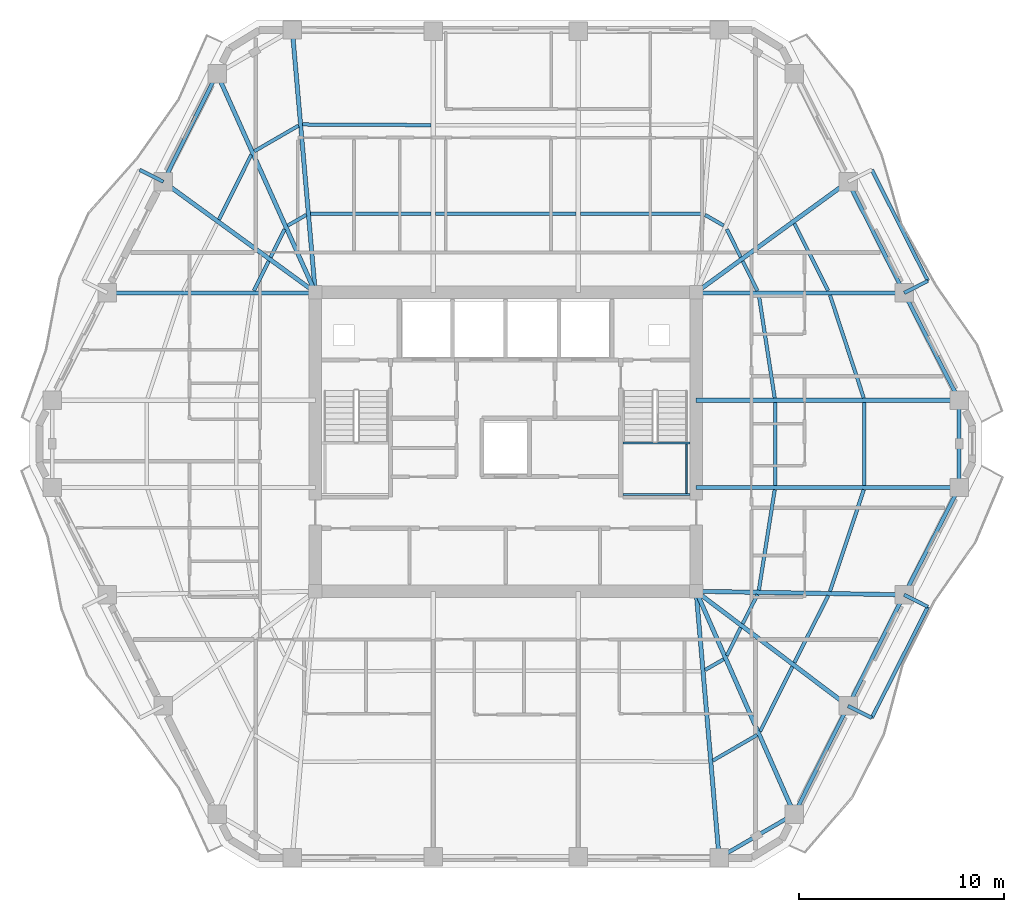
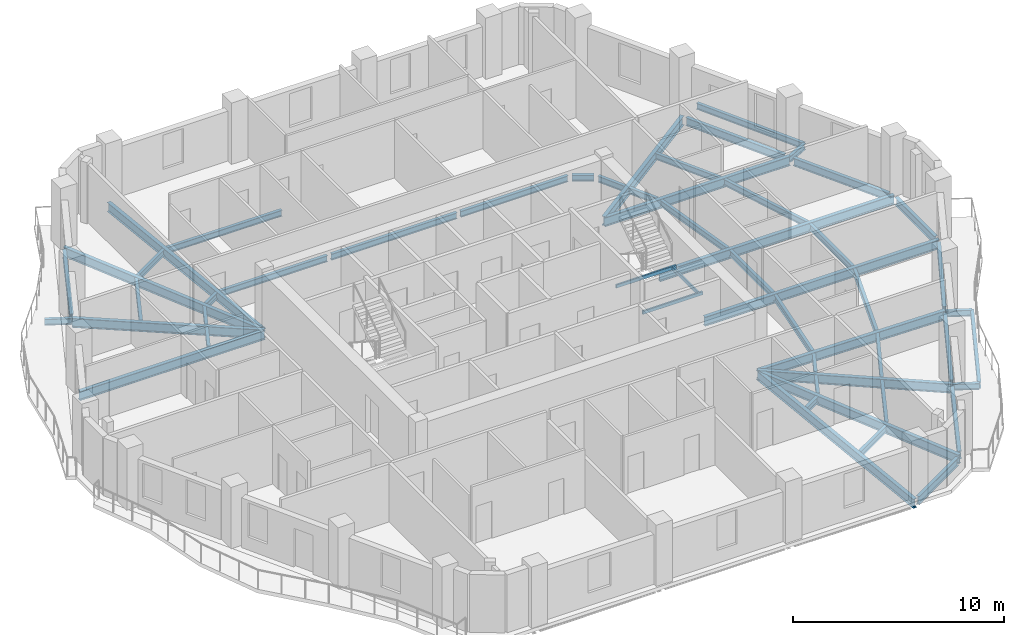
# One storey, part 2 of 12: 54 beams.
"""IFC4 building model written with IfcOpenShell, lengths in metres."""

from ifc_helpers import new_model, si_unit, direction, frame, origin, origin_2d, place, context, subcontext, project, spatial, hollow_rectangle, i_section, extrude, material, material_profile, profile_set, type_object, element, save


model = new_model("IFC4")

# Units and contexts
model_context = context("Model", 3, precision=1e-05, world=origin(), true_north=direction((0.0, 1.0)))
body_context = subcontext(model_context, "Body", "Model", "MODEL_VIEW")
ifc_project = project(units=[si_unit("LENGTHUNIT", "METRE"), si_unit("AREAUNIT", "SQUARE_METRE"), si_unit("VOLUMEUNIT", "CUBIC_METRE"), si_unit("PLANEANGLEUNIT", "RADIAN"), si_unit("MASSUNIT", "GRAM", prefix="KILO")], contexts=[model_context])

# Site, building, storey
site_placement = place(None, origin())
site = spatial("IfcSite", under=ifc_project, at=site_placement, CompositionType="ELEMENT")
building_placement = place(site_placement, origin())
building = spatial("IfcBuilding", under=site, at=building_placement, Name="Cinnabar Lancet Tower", CompositionType="ELEMENT")
storey_placement = place(building_placement, frame((0.0, 0.0, 189.64990234375)))
storey = spatial("IfcBuildingStorey", under=building, at=storey_placement, Name="L50", CompositionType="ELEMENT", Elevation=189.64990234375)

# Beams
ifc_material_1 = material(Name="Structural steel S355", Category="steel")
ifc_material_profile_1 = material_profile(ifc_material_1, i_section(OverallWidth=0.17138671875, OverallDepth=0.35498046875, WebThickness=0.00732421875, FlangeThickness=0.011474609375, FilletRadius=0.01025390625, at=origin_2d()), Name="UKB 356x171x51")
ifc_profile_set_1 = profile_set([ifc_material_profile_1], Name="Structural steel S355")
beam_type_1 = type_object("IfcBeamType", Name="STR-BM-JST-356", PredefinedType="JOIST", material=ifc_profile_set_1)
beam_1_placement = place(storey_placement, frame((42.51708984375, 10.3310546875, -0.3779296875), z_axis=(0.865267839663, 0.501309849937, 0.0), x_axis=(-0.501309849937, 0.865267839663, 0.0)))
element("IfcBeam", 1, at=beam_1_placement, inside=storey, type_object=beam_type_1, Name="L50 Secondary Floor Joist 15", PredefinedType="JOIST", context=body_context, shape_type="SweptSolid", body=[
    extrude(i_section(OverallWidth=0.17138671875, OverallDepth=0.35498046875, WebThickness=0.00732421875, FlangeThickness=0.011474609375, FilletRadius=0.01025390625, at=origin_2d()), origin(), (0.0, 0.0, 1.0), 2.497314453125),
])
beam_2_placement = place(storey_placement, frame((42.135986328125, 14.7548828125, -0.3779296875), z_axis=(0.8651881055, 0.501447446998, 0.0), x_axis=(-0.501447446998, 0.8651881055, 0.0)))
element("IfcBeam", 2, at=beam_2_placement, inside=storey, type_object=beam_type_1, Name="L50 Secondary Floor Joist 16", PredefinedType="JOIST", context=body_context, shape_type="SweptSolid", body=[
    extrude(i_section(OverallWidth=0.17138671875, OverallDepth=0.35498046875, WebThickness=0.00732421875, FlangeThickness=0.011474609375, FilletRadius=0.01025390625, at=origin_2d()), origin(), (0.0, 0.0, 1.0), 1.05322265625),
])
beam_3_placement = place(storey_placement, frame((44.8291015625, 11.758056640625, -0.3779296875), z_axis=(0.445027906173, 0.895516701534, 0.0), x_axis=(-0.895516701534, 0.445027906173, 0.0)))
element("IfcBeam", 3, at=beam_3_placement, inside=storey, type_object=beam_type_1, Name="L50 Secondary Floor Joist 17", PredefinedType="JOIST", context=body_context, shape_type="SweptSolid", body=[
    extrude(i_section(OverallWidth=0.17138671875, OverallDepth=0.35498046875, WebThickness=0.00732421875, FlangeThickness=0.011474609375, FilletRadius=0.01025390625, at=origin_2d()), origin(), (0.0, 0.0, 1.0), 3.531982421875),
])
beam_4_placement = place(storey_placement, frame((43.198974609375, 15.45703125, -0.3779296875), z_axis=(0.444589856968, 0.895734256954, 0.0), x_axis=(-0.895734256954, 0.444589856968, 0.0)))
element("IfcBeam", 4, at=beam_4_placement, inside=storey, type_object=beam_type_1, Name="L50 Secondary Floor Joist 18", PredefinedType="JOIST", context=body_context, shape_type="SweptSolid", body=[
    extrude(i_section(OverallWidth=0.17138671875, OverallDepth=0.35498046875, WebThickness=0.00732421875, FlangeThickness=0.011474609375, FilletRadius=0.01025390625, at=origin_2d()), origin(), (0.0, 0.0, 1.0), 1.527099609375),
])
beam_5_placement = place(storey_placement, frame((46.49609375, 15.112060546875, -0.3779296875), z_axis=(0.450564728728, 0.892743762357, 0.0), x_axis=(-0.892743762357, 0.450564728728, 0.0)))
element("IfcBeam", 5, at=beam_5_placement, inside=storey, type_object=beam_type_1, Name="L50 Secondary Floor Joist 19", PredefinedType="JOIST", context=body_context, shape_type="SweptSolid", body=[
    extrude(i_section(OverallWidth=0.17138671875, OverallDepth=0.35498046875, WebThickness=0.00732421875, FlangeThickness=0.011474609375, FilletRadius=0.01025390625, at=origin_2d()), origin(), (0.0, 0.0, 1.0), 3.66845703125),
])
beam_6_placement = place(storey_placement, frame((43.97412109375, 17.014892578125, -0.3779296875), z_axis=(0.450137936259, 0.892959035085, 0.0), x_axis=(-0.892959035085, 0.450137936259, 0.0)))
element("IfcBeam", 6, at=beam_6_placement, inside=storey, type_object=beam_type_1, Name="L50 Secondary Floor Joist 20", PredefinedType="JOIST", context=body_context, shape_type="SweptSolid", body=[
    extrude(i_section(OverallWidth=0.17138671875, OverallDepth=0.35498046875, WebThickness=0.00732421875, FlangeThickness=0.011474609375, FilletRadius=0.01025390625, at=origin_2d()), origin(), (0.0, 0.0, 1.0), 1.6015625),
])
beam_7_placement = place(storey_placement, frame((48.236083984375, 18.594970703125, -0.3779296875), z_axis=(0.315346227037, 0.948976689436, 0.0), x_axis=(-0.948976689436, 0.315346227037, 0.0)))
element("IfcBeam", 7, at=beam_7_placement, inside=storey, type_object=beam_type_1, Name="L50 Secondary Floor Joist 21", PredefinedType="JOIST", context=body_context, shape_type="SweptSolid", body=[
    extrude(i_section(OverallWidth=0.17138671875, OverallDepth=0.35498046875, WebThickness=0.00732421875, FlangeThickness=0.011474609375, FilletRadius=0.01025390625, at=origin_2d()), origin(), (0.0, 0.0, 1.0), 5.235107421875),
])
beam_8_placement = place(storey_placement, frame((44.763916015625, 18.653076171875, -0.3779296875), z_axis=(0.155750702097, 0.987796395416, 0.0), x_axis=(-0.987796395416, 0.155750702097, 0.0)))
element("IfcBeam", 8, at=beam_8_placement, inside=storey, type_object=beam_type_1, Name="L50 Secondary Floor Joist 22", PredefinedType="JOIST", context=body_context, shape_type="SweptSolid", body=[
    extrude(i_section(OverallWidth=0.17138671875, OverallDepth=0.35498046875, WebThickness=0.00732421875, FlangeThickness=0.011474609375, FilletRadius=0.01025390625, at=origin_2d()), origin(), (0.0, 0.0, 1.0), 4.970458984375),
])
for number, where, z_axis, x_axis, name in (
    (9, (49.922119140625, 23.77294921875, -0.3779296875), (0.0, 1.0, 0.0), (-1.0, 0.0, 0.0), "L50 Secondary Floor Joist 23"),
    (10, (45.553955078125, 23.77294921875, -0.3779296875), (0.0, 1.0, 0.0), (-1.0, 0.0, 0.0), "L50 Secondary Floor Joist 24"),
):
    element("IfcBeam", number, at=place(storey_placement, frame(where, z_axis=z_axis, x_axis=x_axis)), inside=storey, type_object=beam_type_1, Name=name, PredefinedType="JOIST", context=body_context, shape_type="SweptSolid", body=[
        extrude(i_section(OverallWidth=0.17138671875, OverallDepth=0.35498046875, WebThickness=0.00732421875, FlangeThickness=0.011474609375, FilletRadius=0.01025390625, at=origin_2d()), origin(), (0.0, 0.0, 1.0), 4.053955078125),
    ])
beam_9_placement = place(storey_placement, frame((49.887939453125, 28.037109375, -0.3779296875), z_axis=(-0.312240109925, 0.95000321776, 0.0), x_axis=(-0.95000321776, -0.312240109925, 0.0)))
element("IfcBeam", 11, at=beam_9_placement, inside=storey, type_object=beam_type_1, Name="L50 Secondary Floor Joist 25", PredefinedType="JOIST", context=body_context, shape_type="SweptSolid", body=[
    extrude(i_section(OverallWidth=0.17138671875, OverallDepth=0.35498046875, WebThickness=0.00732421875, FlangeThickness=0.011474609375, FilletRadius=0.01025390625, at=origin_2d()), origin(), (0.0, 0.0, 1.0), 5.29345703125),
])
beam_10_placement = place(storey_placement, frame((45.5380859375, 28.037109375, -0.3779296875), z_axis=(-0.152154536592, 0.98835671546, 0.0), x_axis=(-0.98835671546, -0.152154536592, 0.0)))
element("IfcBeam", 12, at=beam_10_placement, inside=storey, type_object=beam_type_1, Name="L50 Secondary Floor Joist 26", PredefinedType="JOIST", context=body_context, shape_type="SweptSolid", body=[
    extrude(i_section(OverallWidth=0.17138671875, OverallDepth=0.35498046875, WebThickness=0.00732421875, FlangeThickness=0.011474609375, FilletRadius=0.01025390625, at=origin_2d()), origin(), (0.0, 0.0, 1.0), 5.088134765625),
])
beam_11_placement = place(storey_placement, frame((48.14794921875, 33.27587890625, -0.3779296875), z_axis=(-0.449230875134, 0.893415704376, 0.0), x_axis=(-0.893415704376, -0.449230875134, 0.0)))
element("IfcBeam", 13, at=beam_11_placement, inside=storey, type_object=beam_type_1, Name="L50 Secondary Floor Joist 27", PredefinedType="JOIST", context=body_context, shape_type="SweptSolid", body=[
    extrude(i_section(OverallWidth=0.17138671875, OverallDepth=0.35498046875, WebThickness=0.00732421875, FlangeThickness=0.011474609375, FilletRadius=0.01025390625, at=origin_2d()), origin(), (0.0, 0.0, 1.0), 3.677001953125),
])
beam_12_placement = place(storey_placement, frame((44.695068359375, 33.27587890625, -0.3779296875), z_axis=(-0.446006949597, 0.89502949723, 0.0), x_axis=(-0.89502949723, -0.446006949597, 0.0)))
element("IfcBeam", 14, at=beam_12_placement, inside=storey, type_object=beam_type_1, Name="L50 Secondary Floor Joist 28", PredefinedType="JOIST", context=body_context, shape_type="SweptSolid", body=[
    extrude(i_section(OverallWidth=0.17138671875, OverallDepth=0.35498046875, WebThickness=0.00732421875, FlangeThickness=0.011474609375, FilletRadius=0.01025390625, at=origin_2d()), origin(), (0.0, 0.0, 1.0), 1.619140625),
])
beam_13_placement = place(storey_placement, frame((43.8779296875, 34.9150390625, -0.3779296875), z_axis=(-0.444589856968, 0.895734256954, 0.0), x_axis=(-0.895734256954, -0.444589856968, 0.0)))
element("IfcBeam", 15, at=beam_13_placement, inside=storey, type_object=beam_type_1, Name="L50 Secondary Floor Joist 30", PredefinedType="JOIST", context=body_context, shape_type="SweptSolid", body=[
    extrude(i_section(OverallWidth=0.17138671875, OverallDepth=0.35498046875, WebThickness=0.00732421875, FlangeThickness=0.011474609375, FilletRadius=0.01025390625, at=origin_2d()), origin(), (0.0, 0.0, 1.0), 1.527099609375),
])
beam_14_placement = place(storey_placement, frame((43.047119140625, 36.45703125, -0.3779296875), z_axis=(-0.8651881055, 0.501447446998, 0.0), x_axis=(-0.501447446998, -0.8651881055, 0.0)))
element("IfcBeam", 16, at=beam_14_placement, inside=storey, type_object=beam_type_1, Name="L50 Secondary Floor Joist 32", PredefinedType="JOIST", context=body_context, shape_type="SweptSolid", body=[
    extrude(i_section(OverallWidth=0.17138671875, OverallDepth=0.35498046875, WebThickness=0.00732421875, FlangeThickness=0.011474609375, FilletRadius=0.01025390625, at=origin_2d()), origin(), (0.0, 0.0, 1.0), 1.05322265625),
])
beam_15_placement = place(storey_placement, frame((41.930908203125, 37.04296875, -0.3779296875), z_axis=(-0.999996795667, -0.002531532393, 0.0), x_axis=(0.002531532393, -0.999996795667, 0.0)))
element("IfcBeam", 17, at=beam_15_placement, inside=storey, type_object=beam_type_1, Name="L50 Secondary Floor Joist 34", PredefinedType="JOIST", context=body_context, shape_type="SweptSolid", body=[
    extrude(i_section(OverallWidth=0.17138671875, OverallDepth=0.35498046875, WebThickness=0.00732421875, FlangeThickness=0.011474609375, FilletRadius=0.01025390625, at=origin_2d()), origin(), (0.0, 0.0, 1.0), 5.8828125),
])
beam_16_placement = place(storey_placement, frame((35.837890625, 37.027099609375, -0.3779296875), z_axis=(-1.0, 0.0, 0.0), x_axis=(0.0, -1.0, 0.0)))
element("IfcBeam", 18, at=beam_16_placement, inside=storey, type_object=beam_type_1, Name="L50 Secondary Floor Joist 36", PredefinedType="JOIST", context=body_context, shape_type="SweptSolid", body=[
    extrude(i_section(OverallWidth=0.17138671875, OverallDepth=0.35498046875, WebThickness=0.00732421875, FlangeThickness=0.011474609375, FilletRadius=0.01025390625, at=origin_2d()), origin(), (0.0, 0.0, 1.0), 6.8759765625),
])
beam_17_placement = place(storey_placement, frame((28.751953125, 41.365966796875, -0.3779296875), z_axis=(-0.999986965561, 0.005105752523, 0.0), x_axis=(-0.005105752523, -0.999986965561, 0.0)))
element("IfcBeam", 19, at=beam_17_placement, inside=storey, type_object=beam_type_1, Name="L50 Secondary Floor Joist 37", PredefinedType="JOIST", context=body_context, shape_type="SweptSolid", body=[
    extrude(i_section(OverallWidth=0.17138671875, OverallDepth=0.35498046875, WebThickness=0.00732421875, FlangeThickness=0.011474609375, FilletRadius=0.01025390625, at=origin_2d()), origin(), (0.0, 0.0, 1.0), 6.263916015625),
])
beam_18_placement = place(storey_placement, frame((28.751953125, 37.028076171875, -0.3779296875), z_axis=(-0.999996795933, 0.002531427338, 0.0), x_axis=(-0.002531427338, -0.999996795933, 0.0)))
element("IfcBeam", 20, at=beam_18_placement, inside=storey, type_object=beam_type_1, Name="L50 Secondary Floor Joist 38", PredefinedType="JOIST", context=body_context, shape_type="SweptSolid", body=[
    extrude(i_section(OverallWidth=0.17138671875, OverallDepth=0.35498046875, WebThickness=0.00732421875, FlangeThickness=0.011474609375, FilletRadius=0.01025390625, at=origin_2d()), origin(), (0.0, 0.0, 1.0), 5.883056640625),
])
beam_19_placement = place(storey_placement, frame((22.282958984375, 41.341064453125, -0.3779296875), z_axis=(-0.865267839663, -0.501309849937, 0.0), x_axis=(0.501309849937, -0.865267839663, 0.0)))
element("IfcBeam", 21, at=beam_19_placement, inside=storey, type_object=beam_type_1, Name="L50 Secondary Floor Joist 39", PredefinedType="JOIST", context=body_context, shape_type="SweptSolid", body=[
    extrude(i_section(OverallWidth=0.17138671875, OverallDepth=0.35498046875, WebThickness=0.00732421875, FlangeThickness=0.011474609375, FilletRadius=0.01025390625, at=origin_2d()), origin(), (0.0, 0.0, 1.0), 2.497314453125),
])
beam_20_placement = place(storey_placement, frame((22.6640625, 36.985107421875, -0.3779296875), z_axis=(-0.8651881055, -0.501447446998, 0.0), x_axis=(0.501447446998, -0.8651881055, 0.0)))
element("IfcBeam", 22, at=beam_20_placement, inside=storey, type_object=beam_type_1, Name="L50 Secondary Floor Joist 40", PredefinedType="JOIST", context=body_context, shape_type="SweptSolid", body=[
    extrude(i_section(OverallWidth=0.17138671875, OverallDepth=0.35498046875, WebThickness=0.00732421875, FlangeThickness=0.011474609375, FilletRadius=0.01025390625, at=origin_2d()), origin(), (0.0, 0.0, 1.0), 1.05322265625),
])
beam_21_placement = place(storey_placement, frame((19.970947265625, 39.9150390625, -0.3779296875), z_axis=(-0.444835507887, -0.895612288283, 0.0), x_axis=(0.895612288283, -0.444835507887, 0.0)))
element("IfcBeam", 23, at=beam_21_placement, inside=storey, type_object=beam_type_1, Name="L50 Secondary Floor Joist 41", PredefinedType="JOIST", context=body_context, shape_type="SweptSolid", body=[
    extrude(i_section(OverallWidth=0.17138671875, OverallDepth=0.35498046875, WebThickness=0.00732421875, FlangeThickness=0.011474609375, FilletRadius=0.01025390625, at=origin_2d()), origin(), (0.0, 0.0, 1.0), 3.533935546875),
])
beam_22_placement = place(storey_placement, frame((21.60107421875, 36.282958984375, -0.3779296875), z_axis=(-0.444589856968, -0.895734256954, 0.0), x_axis=(0.895734256954, -0.444589856968, 0.0)))
element("IfcBeam", 24, at=beam_22_placement, inside=storey, type_object=beam_type_1, Name="L50 Secondary Floor Joist 42", PredefinedType="JOIST", context=body_context, shape_type="SweptSolid", body=[
    extrude(i_section(OverallWidth=0.17138671875, OverallDepth=0.35498046875, WebThickness=0.00732421875, FlangeThickness=0.011474609375, FilletRadius=0.01025390625, at=origin_2d()), origin(), (0.0, 0.0, 1.0), 1.527099609375),
])
beam_23_placement = place(storey_placement, frame((20.826904296875, 34.72509765625, -0.3779296875), z_axis=(-0.44588615098, -0.895089682861, 0.0), x_axis=(0.895089682861, -0.44588615098, 0.0)))
element("IfcBeam", 25, at=beam_23_placement, inside=storey, type_object=beam_type_1, Name="L50 Secondary Floor Joist 44", PredefinedType="JOIST", context=body_context, shape_type="SweptSolid", body=[
    extrude(i_section(OverallWidth=0.17138671875, OverallDepth=0.35498046875, WebThickness=0.00732421875, FlangeThickness=0.011474609375, FilletRadius=0.01025390625, at=origin_2d()), origin(), (0.0, 0.0, 1.0), 1.619140625),
])
ifc_material_2 = material(Name="Structural steel S355", Category="steel")
ifc_material_profile_2 = material_profile(ifc_material_2, hollow_rectangle(XDim=0.10009765625, YDim=0.199951171875, WallThickness=0.008056640625, InnerFilletRadius=0.00390625, OuterFilletRadius=0.011962890625, at=origin_2d()), Name="RHS 200x100x8")
ifc_profile_set_2 = profile_set([ifc_material_profile_2], Name="Structural steel S355")
beam_type_2 = type_object("IfcBeamType", Name="STR-BM-LND-203", PredefinedType="BEAM", material=ifc_profile_set_2)
for number, where, z_axis, x_axis, name in (
    (26, (38.1201171875, 23.330078125, 1.47509765625), (1.0, 0.0, 0.0), (0.0, 1.0, 0.0), "L50 ST-2-L50 Landing Support Beam S"),
    (27, (38.1201171875, 25.844970703125, 1.47509765625), (1.0, 0.0, 0.0), (0.0, 1.0, 0.0), "L50 ST-2-L50 Landing Support Beam N"),
):
    element("IfcBeam", number, at=place(storey_placement, frame(where, z_axis=z_axis, x_axis=x_axis)), inside=storey, type_object=beam_type_2, Name=name, PredefinedType="BEAM", context=body_context, shape_type="SweptSolid", body=[
        extrude(hollow_rectangle(XDim=0.10009765625, YDim=0.199951171875, WallThickness=0.008056640625, InnerFilletRadius=0.00390625, OuterFilletRadius=0.011962890625, at=origin_2d()), origin(), (0.0, 0.0, 1.0), 3.27978515625),
    ])
beam_24_placement = place(storey_placement, frame((41.219970703125, 23.3798828125, 1.47509765625), z_axis=(0.0, 1.0, 0.0), x_axis=(-1.0, 0.0, 0.0)))
element("IfcBeam", 28, at=beam_24_placement, inside=storey, type_object=beam_type_2, Name="L50 ST-2-L50 Landing Side Trimmer Beam", PredefinedType="BEAM", context=body_context, shape_type="SweptSolid", body=[
    extrude(hollow_rectangle(XDim=0.10009765625, YDim=0.199951171875, WallThickness=0.008056640625, InnerFilletRadius=0.00390625, OuterFilletRadius=0.011962890625, at=origin_2d()), origin(), (0.0, 0.0, 1.0), 2.4150390625),
])
ifc_material_3 = material(Name="Structural steel S355", Category="steel")
ifc_material_profile_3 = material_profile(ifc_material_3, i_section(OverallWidth=0.1904296875, OverallDepth=0.45703125, WebThickness=0.009033203125, FlangeThickness=0.014404296875, FilletRadius=0.01025390625, at=origin_2d()), Name="UKB 457x191x74")
ifc_profile_set_3 = profile_set([ifc_material_profile_3], Name="Structural steel S355")
beam_type_3 = type_object("IfcBeamType", Name="STR-BM-SPN-457", PredefinedType="SPANDREL", material=ifc_profile_set_3)
beam_25_placement = place(storey_placement, frame((43.037109375, 5.714111328125, -0.428955078125), z_axis=(0.865195717586, 0.501434313016, 0.0), x_axis=(-0.501434313016, 0.865195717586, 0.0)))
element("IfcBeam", 29, at=beam_25_placement, inside=storey, type_object=beam_type_3, Name="L50 Perimeter Spandrel 4", PredefinedType="SPANDREL", context=body_context, shape_type="SweptSolid", body=[
    extrude(i_section(OverallWidth=0.1904296875, OverallDepth=0.45703125, WebThickness=0.009033203125, FlangeThickness=0.014404296875, FilletRadius=0.01025390625, at=origin_2d()), origin(), (0.0, 0.0, 1.0), 3.7470703125),
])
beam_26_placement = place(storey_placement, frame((46.60595703125, 7.94189453125, -0.428955078125), z_axis=(0.444914968367, 0.895572817208, 0.0), x_axis=(-0.895572817208, 0.444914968367, 0.0)))
element("IfcBeam", 30, at=beam_26_placement, inside=storey, type_object=beam_type_3, Name="L50 Perimeter Spandrel 5", PredefinedType="SPANDREL", context=body_context, shape_type="SweptSolid", body=[
    extrude(i_section(OverallWidth=0.1904296875, OverallDepth=0.45703125, WebThickness=0.009033203125, FlangeThickness=0.014404296875, FilletRadius=0.01025390625, at=origin_2d()), origin(), (0.0, 0.0, 1.0), 5.39892578125),
])
beam_27_placement = place(storey_placement, frame((49.23193359375, 13.22412109375, -0.428955078125), z_axis=(0.450395996562, 0.892828900899, 0.0), x_axis=(-0.892828900899, 0.450395996562, 0.0)))
element("IfcBeam", 31, at=beam_27_placement, inside=storey, type_object=beam_type_3, Name="L50 Perimeter Spandrel 6", PredefinedType="SPANDREL", context=body_context, shape_type="SweptSolid", body=[
    extrude(i_section(OverallWidth=0.1904296875, OverallDepth=0.45703125, WebThickness=0.009033203125, FlangeThickness=0.014404296875, FilletRadius=0.01025390625, at=origin_2d()), origin(), (0.0, 0.0, 1.0), 5.579833984375),
])
beam_28_placement = place(storey_placement, frame((51.971923828125, 18.65087890625, -0.428955078125), z_axis=(0.456628362232, 0.889657540184, 0.0), x_axis=(-0.889657540184, 0.456628362232, 0.0)))
element("IfcBeam", 32, at=beam_28_placement, inside=storey, type_object=beam_type_3, Name="L50 Perimeter Spandrel 7", PredefinedType="SPANDREL", context=body_context, shape_type="SweptSolid", body=[
    extrude(i_section(OverallWidth=0.1904296875, OverallDepth=0.45703125, WebThickness=0.009033203125, FlangeThickness=0.014404296875, FilletRadius=0.01025390625, at=origin_2d()), origin(), (0.0, 0.0, 1.0), 5.389892578125),
])
beam_29_placement = place(storey_placement, frame((54.547119140625, 23.91796875, -0.428955078125), z_axis=(0.0, 1.0, 0.0), x_axis=(-1.0, 0.0, 0.0)))
element("IfcBeam", 33, at=beam_29_placement, inside=storey, type_object=beam_type_3, Name="L50 Perimeter Spandrel 8", PredefinedType="SPANDREL", context=body_context, shape_type="SweptSolid", body=[
    extrude(i_section(OverallWidth=0.1904296875, OverallDepth=0.45703125, WebThickness=0.009033203125, FlangeThickness=0.014404296875, FilletRadius=0.01025390625, at=origin_2d()), origin(), (0.0, 0.0, 1.0), 3.763916015625),
])
beam_30_placement = place(storey_placement, frame((54.43310546875, 28.154052734375, -0.428955078125), z_axis=(-0.456646764028, 0.889648094981, 0.0), x_axis=(-0.889648094981, -0.456646764028, 0.0)))
element("IfcBeam", 34, at=beam_30_placement, inside=storey, type_object=beam_type_3, Name="L50 Perimeter Spandrel 9", PredefinedType="SPANDREL", context=body_context, shape_type="SweptSolid", body=[
    extrude(i_section(OverallWidth=0.1904296875, OverallDepth=0.45703125, WebThickness=0.009033203125, FlangeThickness=0.014404296875, FilletRadius=0.01025390625, at=origin_2d()), origin(), (0.0, 0.0, 1.0), 5.3896484375),
])
beam_31_placement = place(storey_placement, frame((51.7451171875, 33.39404296875, -0.428955078125), z_axis=(-0.450395996562, 0.892828900899, 0.0), x_axis=(-0.892828900899, -0.450395996562, 0.0)))
element("IfcBeam", 35, at=beam_31_placement, inside=storey, type_object=beam_type_3, Name="L50 Perimeter Spandrel 10", PredefinedType="SPANDREL", context=body_context, shape_type="SweptSolid", body=[
    extrude(i_section(OverallWidth=0.1904296875, OverallDepth=0.45703125, WebThickness=0.009033203125, FlangeThickness=0.014404296875, FilletRadius=0.01025390625, at=origin_2d()), origin(), (0.0, 0.0, 1.0), 5.579833984375),
])
beam_32_placement = place(storey_placement, frame((18.194091796875, 43.657958984375, -0.428955078125), z_axis=(-0.444932986899, -0.895563865489, 0.0), x_axis=(0.895563865489, -0.444932986899, 0.0)))
element("IfcBeam", 36, at=beam_32_placement, inside=storey, type_object=beam_type_3, Name="L50 Perimeter Spandrel 17", PredefinedType="SPANDREL", context=body_context, shape_type="SweptSolid", body=[
    extrude(i_section(OverallWidth=0.1904296875, OverallDepth=0.45703125, WebThickness=0.009033203125, FlangeThickness=0.014404296875, FilletRadius=0.01025390625, at=origin_2d()), origin(), (0.0, 0.0, 1.0), 5.398681640625),
])
ifc_material_4 = material(Name="Structural steel S355", Category="steel")
ifc_material_profile_4 = material_profile(ifc_material_4, i_section(OverallWidth=0.209228515625, OverallDepth=0.533203125, WebThickness=0.010009765625, FlangeThickness=0.015625, FilletRadius=0.0126953125, at=origin_2d()), Name="UKB 533x210x92")
ifc_profile_set_4 = profile_set([ifc_material_profile_4], Name="Structural steel S355")
beam_type_4 = type_object("IfcBeamType", Name="STR-BM-UKB533-92", PredefinedType="BEAM", material=ifc_profile_set_4)
beam_33_placement = place(storey_placement, frame((49.118896484375, 13.0009765625, -0.466796875), z_axis=(-0.798193439732, 0.602401222417, 0.0), x_axis=(-0.602401222417, -0.798193439732, 0.0)))
element("IfcBeam", 37, at=beam_33_placement, inside=storey, type_object=beam_type_4, Name="L50 Corner Collector Girder 2", PredefinedType="BEAM", context=body_context, shape_type="SweptSolid", body=[
    extrude(i_section(OverallWidth=0.209228515625, OverallDepth=0.533203125, WebThickness=0.010009765625, FlangeThickness=0.015625, FilletRadius=0.0126953125, at=origin_2d()), origin(), (0.0, 0.0, 1.0), 9.294677734375),
])
beam_34_placement = place(storey_placement, frame((49.118896484375, 38.59912109375, -0.466796875), z_axis=(-0.808550797984, -0.588426382039, 0.0), x_axis=(0.588426382039, -0.808550797984, 0.0)))
element("IfcBeam", 38, at=beam_34_placement, inside=storey, type_object=beam_type_4, Name="L50 Corner Collector Girder 3", PredefinedType="BEAM", context=body_context, shape_type="SweptSolid", body=[
    extrude(i_section(OverallWidth=0.209228515625, OverallDepth=0.533203125, WebThickness=0.010009765625, FlangeThickness=0.015625, FilletRadius=0.0126953125, at=origin_2d()), origin(), (0.0, 0.0, 1.0), 9.175537109375),
])
beam_35_placement = place(storey_placement, frame((15.680908203125, 38.59912109375, -0.466796875), z_axis=(0.80856001044, -0.588413723087, 0.0), x_axis=(0.588413723087, 0.80856001044, 0.0)))
element("IfcBeam", 39, at=beam_35_placement, inside=storey, type_object=beam_type_4, Name="L50 Corner Collector Girder 4", PredefinedType="BEAM", context=body_context, shape_type="SweptSolid", body=[
    extrude(i_section(OverallWidth=0.209228515625, OverallDepth=0.533203125, WebThickness=0.010009765625, FlangeThickness=0.015625, FilletRadius=0.0126953125, at=origin_2d()), origin(), (0.0, 0.0, 1.0), 9.17578125),
])
beam_36_placement = place(storey_placement, frame((42.821044921875, 5.589111328125, -0.466796875), z_axis=(-0.085847068729, 0.996308326167, 0.0), x_axis=(-0.996308326167, -0.085847068729, 0.0)))
element("IfcBeam", 40, at=beam_36_placement, inside=storey, type_object=beam_type_4, Name="L50 Primary Floor Girder 4", PredefinedType="BEAM", context=body_context, shape_type="SweptSolid", body=[
    extrude(i_section(OverallWidth=0.209228515625, OverallDepth=0.533203125, WebThickness=0.010009765625, FlangeThickness=0.015625, FilletRadius=0.0126953125, at=origin_2d()), origin(), (0.0, 0.0, 1.0), 13.05908203125),
])
beam_37_placement = place(storey_placement, frame((46.4951171875, 7.718017578125, -0.466796875), z_axis=(-0.403235299754, 0.915096329919, 0.0), x_axis=(-0.915096329919, -0.403235299754, 0.0)))
element("IfcBeam", 41, at=beam_37_placement, inside=storey, type_object=beam_type_4, Name="L50 Primary Floor Girder 5", PredefinedType="BEAM", context=body_context, shape_type="SweptSolid", body=[
    extrude(i_section(OverallWidth=0.209228515625, OverallDepth=0.533203125, WebThickness=0.010009765625, FlangeThickness=0.015625, FilletRadius=0.0126953125, at=origin_2d()), origin(), (0.0, 0.0, 1.0), 11.891845703125),
])
beam_38_placement = place(storey_placement, frame((51.85791015625, 18.428955078125, -0.466796875), z_axis=(-0.999858100525, 0.016845735777, 0.0), x_axis=(-0.016845735777, -0.999858100525, 0.0)))
element("IfcBeam", 42, at=beam_38_placement, inside=storey, type_object=beam_type_4, Name="L50 Primary Floor Girder 7", PredefinedType="BEAM", context=body_context, shape_type="SweptSolid", body=[
    extrude(i_section(OverallWidth=0.209228515625, OverallDepth=0.533203125, WebThickness=0.010009765625, FlangeThickness=0.015625, FilletRadius=0.0126953125, at=origin_2d()), origin(), (0.0, 0.0, 1.0), 10.159423828125),
])
for number, where, z_axis, x_axis, name in (
    (43, (54.547119140625, 23.66796875, -0.466796875), (-1.0, 0.0, 0.0), (0.0, -1.0, 0.0), "L50 Primary Floor Girder 8"),
    (44, (54.547119140625, 27.931884765625, -0.466796875), (-1.0, 0.0, 0.0), (0.0, -1.0, 0.0), "L50 Primary Floor Girder 9"),
):
    element("IfcBeam", number, at=place(storey_placement, frame(where, z_axis=z_axis, x_axis=x_axis)), inside=storey, type_object=beam_type_4, Name=name, PredefinedType="BEAM", context=body_context, shape_type="SweptSolid", body=[
        extrude(i_section(OverallWidth=0.209228515625, OverallDepth=0.533203125, WebThickness=0.010009765625, FlangeThickness=0.015625, FilletRadius=0.0126953125, at=origin_2d()), origin(), (0.0, 0.0, 1.0), 12.84716796875),
    ])
beam_39_placement = place(storey_placement, frame((51.85791015625, 33.1708984375, -0.466796875), z_axis=(-1.0, 0.0, 0.0), x_axis=(0.0, -1.0, 0.0)))
element("IfcBeam", 45, at=beam_39_placement, inside=storey, type_object=beam_type_4, Name="L50 Primary Floor Girder 10", PredefinedType="BEAM", context=body_context, shape_type="SweptSolid", body=[
    extrude(i_section(OverallWidth=0.209228515625, OverallDepth=0.533203125, WebThickness=0.010009765625, FlangeThickness=0.015625, FilletRadius=0.0126953125, at=origin_2d()), origin(), (0.0, 0.0, 1.0), 10.157958984375),
])
beam_40_placement = place(storey_placement, frame((21.97900390625, 46.010986328125, -0.466796875), z_axis=(0.087176841412, -0.996192851973, 0.0), x_axis=(0.996192851973, 0.087176841412, 0.0)))
element("IfcBeam", 46, at=beam_40_placement, inside=storey, type_object=beam_type_4, Name="L50 Primary Floor Girder 16", PredefinedType="BEAM", context=body_context, shape_type="SweptSolid", body=[
    extrude(i_section(OverallWidth=0.209228515625, OverallDepth=0.533203125, WebThickness=0.010009765625, FlangeThickness=0.015625, FilletRadius=0.0126953125, at=origin_2d()), origin(), (0.0, 0.0, 1.0), 12.860107421875),
])
beam_41_placement = place(storey_placement, frame((18.304931640625, 43.882080078125, -0.466796875), z_axis=(0.409527011626, -0.912297992297, 0.0), x_axis=(0.912297992297, 0.409527011626, 0.0)))
element("IfcBeam", 47, at=beam_41_placement, inside=storey, type_object=beam_type_4, Name="L50 Primary Floor Girder 17", PredefinedType="BEAM", context=body_context, shape_type="SweptSolid", body=[
    extrude(i_section(OverallWidth=0.209228515625, OverallDepth=0.533203125, WebThickness=0.010009765625, FlangeThickness=0.015625, FilletRadius=0.0126953125, at=origin_2d()), origin(), (0.0, 0.0, 1.0), 11.708984375),
])
beam_42_placement = place(storey_placement, frame((12.94189453125, 33.1708984375, -0.466796875), z_axis=(1.0, 0.0, 0.0), x_axis=(0.0, 1.0, 0.0)))
element("IfcBeam", 48, at=beam_42_placement, inside=storey, type_object=beam_type_4, Name="L50 Primary Floor Girder 19", PredefinedType="BEAM", context=body_context, shape_type="SweptSolid", body=[
    extrude(i_section(OverallWidth=0.209228515625, OverallDepth=0.533203125, WebThickness=0.010009765625, FlangeThickness=0.015625, FilletRadius=0.0126953125, at=origin_2d()), origin(), (0.0, 0.0, 1.0), 10.158203125),
])
ifc_material_5 = material(Name="Structural steel S355", Category="steel")
ifc_material_profile_5 = material_profile(ifc_material_5, i_section(OverallWidth=0.17138671875, OverallDepth=0.35498046875, WebThickness=0.00732421875, FlangeThickness=0.011474609375, FilletRadius=0.01025390625, at=origin_2d()), Name="UKB 356x171x51")
ifc_profile_set_5 = profile_set([ifc_material_profile_5], Name="Structural steel S355")
beam_type_5 = type_object("IfcBeamType", Name="STR-BM-WAV-OUT", PredefinedType="BEAM", material=ifc_profile_set_5)
for number, where, z_axis, x_axis, name in (
    (49, (49.118896484375, 13.0009765625, -0.39794921875), (0.892314203325, -0.451414845285, 0.0), (0.451414845285, 0.892314203325, 0.0), "L50 Face 2 Balcony Outlooker A"),
    (50, (51.85791015625, 18.428955078125, -0.39794921875), (0.892314203325, -0.451414845285, 0.0), (0.451414845285, 0.892314203325, 0.0), "L50 Face 2 Balcony Outlooker B"),
):
    element("IfcBeam", number, at=place(storey_placement, frame(where, z_axis=z_axis, x_axis=x_axis)), inside=storey, type_object=beam_type_5, Name=name, PredefinedType="BEAM", context=body_context, shape_type="SweptSolid", body=[
        extrude(i_section(OverallWidth=0.17138671875, OverallDepth=0.35498046875, WebThickness=0.00732421875, FlangeThickness=0.011474609375, FilletRadius=0.01025390625, at=origin_2d()), origin(), (0.0, 0.0, 1.0), 1.300048828125),
    ])
beam_43_placement = place(storey_placement, frame((51.85791015625, 33.1708984375, -0.39794921875), z_axis=(0.892238560088, 0.451564338597, 0.0), x_axis=(-0.451564338597, 0.892238560088, 0.0)))
element("IfcBeam", 51, at=beam_43_placement, inside=storey, type_object=beam_type_5, Name="L50 Face 3 Balcony Outlooker A", PredefinedType="BEAM", context=body_context, shape_type="SweptSolid", body=[
    extrude(i_section(OverallWidth=0.17138671875, OverallDepth=0.35498046875, WebThickness=0.00732421875, FlangeThickness=0.011474609375, FilletRadius=0.01025390625, at=origin_2d()), origin(), (0.0, 0.0, 1.0), 1.30029296875),
])
beam_44_placement = place(storey_placement, frame((15.680908203125, 38.59912109375, -0.39794921875), z_axis=(-0.89227592947, 0.451490493464, 0.0), x_axis=(-0.451490493464, -0.89227592947, 0.0)))
element("IfcBeam", 52, at=beam_44_placement, inside=storey, type_object=beam_type_5, Name="L50 Face 5 Balcony Outlooker A", PredefinedType="BEAM", context=body_context, shape_type="SweptSolid", body=[
    extrude(i_section(OverallWidth=0.17138671875, OverallDepth=0.35498046875, WebThickness=0.00732421875, FlangeThickness=0.011474609375, FilletRadius=0.01025390625, at=origin_2d()), origin(), (0.0, 0.0, 1.0), 1.300048828125),
])
ifc_material_6 = material(Name="Structural steel S355", Category="steel")
ifc_material_profile_6 = material_profile(ifc_material_6, i_section(OverallWidth=0.17138671875, OverallDepth=0.35498046875, WebThickness=0.00732421875, FlangeThickness=0.011474609375, FilletRadius=0.01025390625, at=origin_2d()), Name="UKB 356x171x51")
ifc_profile_set_6 = profile_set([ifc_material_profile_6], Name="Structural steel S355")
beam_type_6 = type_object("IfcBeamType", Name="STR-BM-WAV-TRIM", PredefinedType="SPANDREL", material=ifc_profile_set_6)
for number, where, z_axis, x_axis, name in (
    (53, (50.279052734375, 12.4140625, -0.39794921875), (0.450503306898, 0.892774759093, 0.0), (-0.892774759093, 0.450503306898, 0.0), "L50 Face 2 Balcony Edge Trimmer"),
    (54, (53.01806640625, 33.758056640625, -0.39794921875), (-0.450503306898, 0.892774759093, 0.0), (-0.892774759093, -0.450503306898, 0.0), "L50 Face 3 Balcony Edge Trimmer"),
):
    element("IfcBeam", number, at=place(storey_placement, frame(where, z_axis=z_axis, x_axis=x_axis)), inside=storey, type_object=beam_type_6, Name=name, PredefinedType="SPANDREL", context=body_context, shape_type="SweptSolid", body=[
        extrude(i_section(OverallWidth=0.17138671875, OverallDepth=0.35498046875, WebThickness=0.00732421875, FlangeThickness=0.011474609375, FilletRadius=0.01025390625, at=origin_2d()), origin(), (0.0, 0.0, 1.0), 6.079833984375),
    ])

save(model, "model.ifc")
